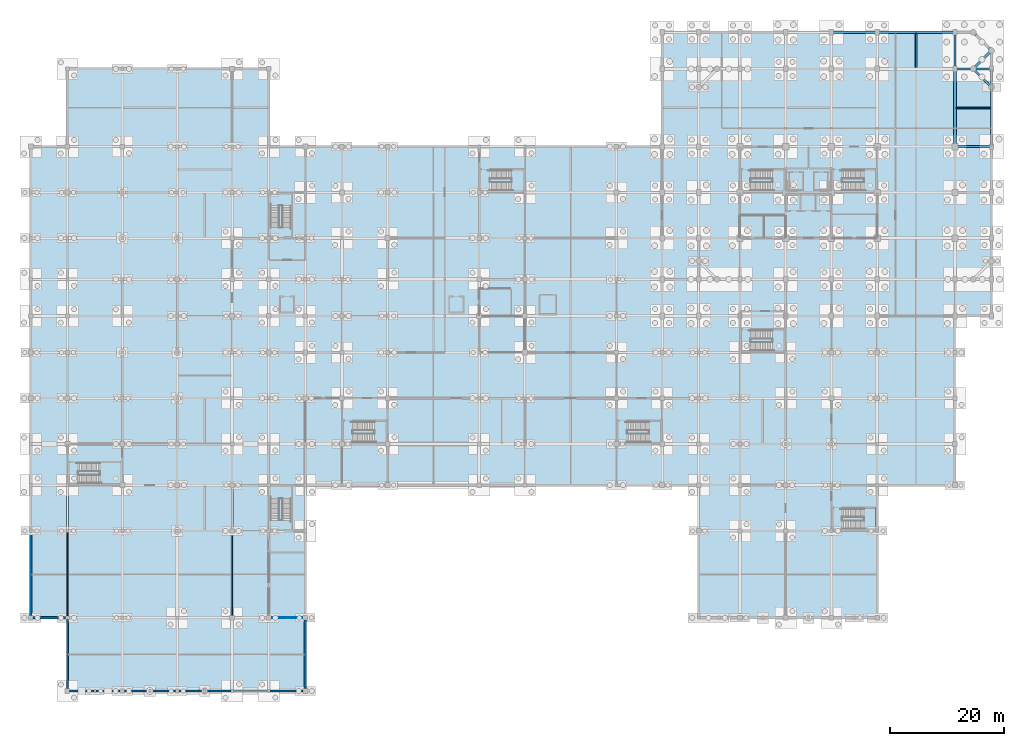
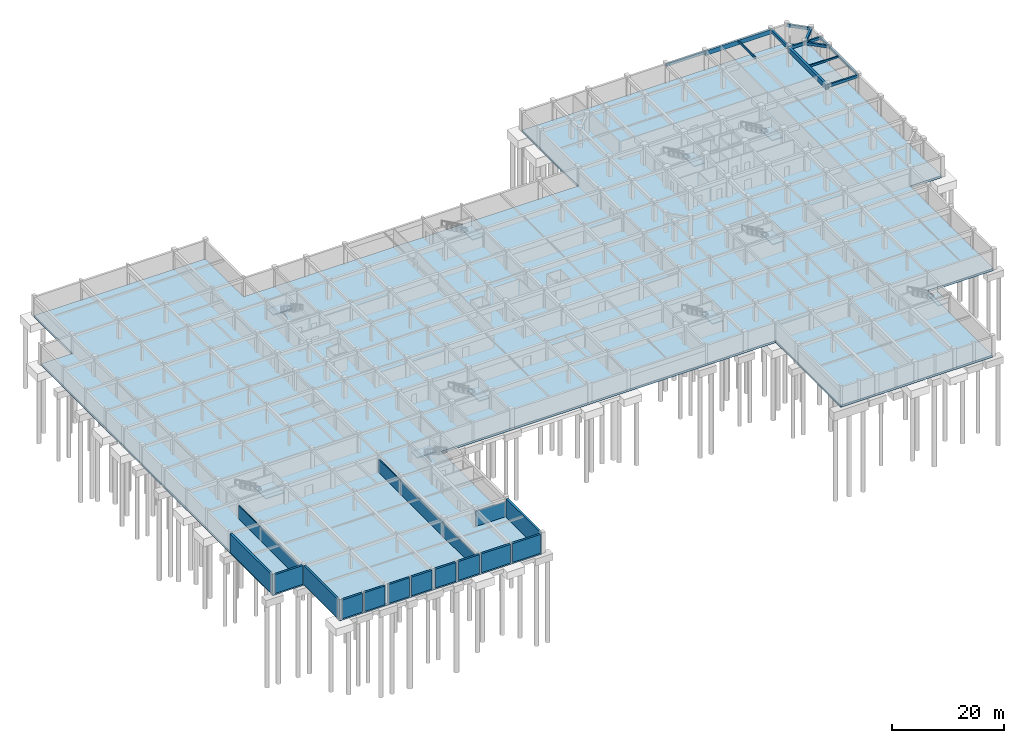
# One storey, part 16 of 28: 15 walls, 12 beams, 11 slabs, 10 elements without a shape of their own.
"""IFC4 building model written with IfcOpenShell, lengths in metres."""

from ifc_helpers import new_model, si_unit, direction, frame, frame_2d, origin, origin_2d, place, context, subcontext, project, spatial, polyline, rectangle, i_section, outline, extrude, material, layer, layer_set, material_profile, profile_set, type_object, element, aggregate, save


model = new_model("IFC4")

# Units and contexts
model_context = context("Model", 3, precision=1e-05, world=origin(), true_north=direction((0.0, 1.0)))
body_context = subcontext(model_context, "Body", "Model", "MODEL_VIEW")
ifc_project = project(units=[si_unit("LENGTHUNIT", "METRE"), si_unit("AREAUNIT", "SQUARE_METRE"), si_unit("VOLUMEUNIT", "CUBIC_METRE"), si_unit("PLANEANGLEUNIT", "RADIAN"), si_unit("MASSUNIT", "GRAM", prefix="KILO")], contexts=[model_context])

# Site, building, storey
site_placement = place(None, origin())
site = spatial("IfcSite", under=ifc_project, at=site_placement, CompositionType="ELEMENT")
building_placement = place(site_placement, origin())
building = spatial("IfcBuilding", under=site, at=building_placement, Name="Vellmiral Cinema and Media Centre", CompositionType="ELEMENT")
storey_placement = place(building_placement, frame((0.0, 0.0, -4.5)))
storey = spatial("IfcBuildingStorey", under=building, at=storey_placement, Name="B1", CompositionType="ELEMENT", Elevation=-4.5)

# Beams
ifc_material_1 = material(Name="Concrete C40/50", Category="concrete")
ifc_material_profile_1 = material_profile(ifc_material_1, rectangle(XDim=0.35009765625, YDim=0.60009765625, at=origin_2d()), Name="RC 350x600")
ifc_profile_set_1 = profile_set([ifc_material_profile_1], Name="Concrete C40/50")
beam_type_1 = type_object("IfcBeamType", Name="BM-RC-350x600", PredefinedType="BEAM", material=ifc_profile_set_1)
for number, where, z_axis, x_axis, name in (
    (1, (161.60009765625, 95.199951171875, 3.77490234375), (1.0, 0.0, 0.0), (0.0, 1.0, 0.0), "Grid Beam B1-X192"),
    (2, (161.60009765625, 108.800048828125, 3.77490234375), (1.0, 0.0, 0.0), (0.0, 1.0, 0.0), "Grid Beam B1-X203"),
):
    element("IfcBeam", number, at=place(storey_placement, frame(where, z_axis=z_axis, x_axis=x_axis)), inside=storey, type_object=beam_type_1, Name=name, PredefinedType="BEAM", context=body_context, shape_type="SweptSolid", body=[
        extrude(rectangle(XDim=0.35009765625, YDim=0.60009765625, at=origin_2d()), origin(), (0.0, 0.0, 1.0), 6.39990234375),
    ])
ifc_material_2 = material(Name="Concrete C40/50", Category="concrete")
ifc_material_profile_2 = material_profile(ifc_material_2, rectangle(XDim=0.39990234375, YDim=0.64990234375, at=origin_2d()), Name="RC 400x650")
ifc_profile_set_2 = profile_set([ifc_material_profile_2], Name="Concrete C40/50")
beam_type_2 = type_object("IfcBeamType", Name="BM-RC-400x650", PredefinedType="BEAM", material=ifc_profile_set_2)
beam_1_placement = place(storey_placement, frame((161.60009765625, 108.800048828125, 3.75), z_axis=(0.0, 1.0, 0.0), x_axis=(-1.0, 0.0, 0.0)))
element("IfcBeam", 3, at=beam_1_placement, inside=storey, type_object=beam_type_2, Name="Grid Beam B1-Y410", PredefinedType="BEAM", context=body_context, shape_type="SweptSolid", body=[
    extrude(rectangle(XDim=0.39990234375, YDim=0.64990234375, at=origin_2d()), origin(), (0.0, 0.0, 1.0), 6.39990234375),
])
ifc_material_3 = material(Name="Concrete C40/50", Category="concrete")
ifc_material_profile_3 = material_profile(ifc_material_3, rectangle(XDim=0.5, YDim=1.050048828125, at=origin_2d()), Name="RC 500x1050")
ifc_profile_set_3 = profile_set([ifc_material_profile_3], Name="Concrete C40/50")
beam_type_3 = type_object("IfcBeamType", Name="BM-RCG-500x1050", PredefinedType="BEAM", material=ifc_profile_set_3)
beam_2_placement = place(storey_placement, frame((161.60009765625, 95.199951171875, 3.550048828125), z_axis=(0.0, 1.0, 0.0), x_axis=(-1.0, 0.0, 0.0)))
element("IfcBeam", 4, at=beam_2_placement, inside=storey, type_object=beam_type_3, Name="Grid Beam B1-Y409", PredefinedType="BEAM", context=body_context, shape_type="SweptSolid", body=[
    extrude(rectangle(XDim=0.5, YDim=1.050048828125, at=origin_2d()), origin(), (0.0, 0.0, 1.0), 13.60009765625),
])
ifc_material_4 = material(Name="Concrete C40/50", Category="concrete")
ifc_material_profile_4 = material_profile(ifc_material_4, rectangle(XDim=0.260009765625, YDim=0.3798828125, at=origin_2d()), Name="RC 260x380")
ifc_profile_set_4 = profile_set([ifc_material_profile_4], Name="Concrete C40/50")
beam_type_4 = type_object("IfcBeamType", Name="JST-RC-260x380", PredefinedType="JOIST", material=ifc_profile_set_4)
beam_3_placement = place(storey_placement, frame((161.85009765625, 102.0, 3.885009765625), z_axis=(1.0, 0.0, 0.0), x_axis=(0.0, 1.0, 0.0)))
element("IfcBeam", 5, at=beam_3_placement, inside=storey, type_object=beam_type_4, Name="Secondary Floor Joist B1-051", PredefinedType="JOIST", context=body_context, shape_type="SweptSolid", body=[
    extrude(rectangle(XDim=0.260009765625, YDim=0.3798828125, at=origin_2d()), origin(), (0.0, 0.0, 1.0), 6.0),
])
ifc_material_5 = material(Name="Concrete C40/50", Category="concrete")
ifc_material_profile_5 = material_profile(ifc_material_5, rectangle(XDim=0.280029296875, YDim=0.39990234375, at=origin_2d()), Name="RC 280x400")
ifc_profile_set_5 = profile_set([ifc_material_profile_5], Name="Concrete C40/50")
beam_type_5 = type_object("IfcBeamType", Name="JST-RC-280x400", PredefinedType="JOIST", material=ifc_profile_set_5)
beam_4_placement = place(storey_placement, frame((154.800048828125, 109.050048828125, 3.875), z_axis=(0.0, 1.0, 0.0), x_axis=(-1.0, 0.0, 0.0)))
element("IfcBeam", 6, at=beam_4_placement, inside=storey, type_object=beam_type_5, Name="Secondary Floor Joist B1-050", PredefinedType="JOIST", context=body_context, shape_type="SweptSolid", body=[
    extrude(rectangle(XDim=0.280029296875, YDim=0.39990234375, at=origin_2d()), origin(), (0.0, 0.0, 1.0), 5.93994140625),
])
ifc_material_6 = material(Name="Steel S355", Category="steel")
ifc_material_profile_6 = material_profile(ifc_material_6, i_section(OverallWidth=0.300048828125, OverallDepth=0.60009765625, WebThickness=0.015380859375, FlangeThickness=0.030029296875, FilletRadius=0.027099609375, at=origin_2d()), Name="HEB 600")
ifc_profile_set_6 = profile_set([ifc_material_profile_6], Name="Steel S355")
beam_type_6 = type_object("IfcBeamType", Name="SBM-HEB600-SPD", PredefinedType="SPANDREL", material=ifc_profile_set_6)
beam_5_placement = place(storey_placement, frame((168.0, 95.199951171875, 3.77490234375), z_axis=(0.0, 1.0, 0.0), x_axis=(-1.0, 0.0, 0.0)))
element("IfcBeam", 7, at=beam_5_placement, inside=storey, type_object=beam_type_6, Name="Grid Beam B1-Y415", PredefinedType="SPANDREL", context=body_context, shape_type="SweptSolid", body=[
    extrude(i_section(OverallWidth=0.300048828125, OverallDepth=0.60009765625, WebThickness=0.015380859375, FlangeThickness=0.030029296875, FilletRadius=0.027099609375, at=origin_2d()), origin(), (0.0, 0.0, 1.0), 13.60009765625),
])
ifc_material_7 = material(Name="Concrete C40/50", Category="concrete")
ifc_material_profile_7 = material_profile(ifc_material_7, rectangle(XDim=0.39990234375, YDim=0.60009765625, at=origin_2d()), Name="RC 400x600")
ifc_profile_set_7 = profile_set([ifc_material_profile_7], Name="Concrete C40/50")
beam_type_7 = type_object("IfcBeamType", Name="SPD-RC-400x600", PredefinedType="SPANDREL", material=ifc_profile_set_7)
for number, where, z_axis, x_axis, name in (
    (8, (164.800048828125, 108.800048828125, 3.77490234375), (0.707106781187, -0.707106781187, 0.0), (0.707106781187, 0.707106781187, 0.0), "Xamfra Chamfer Spandrel Beam B1-419"),
    (9, (164.800048828125, 108.800048828125, 3.77490234375), (0.707106781187, 0.707106781187, 0.0), (-0.707106781187, 0.707106781187, 0.0), "Xamfra Chamfer Spandrel Beam B1-420"),
    (10, (164.800048828125, 115.199951171875, 3.77490234375), (0.707106781187, -0.707106781187, 0.0), (0.707106781187, 0.707106781187, 0.0), "Xamfra Chamfer Spandrel Beam B1-421"),
):
    element("IfcBeam", number, at=place(storey_placement, frame(where, z_axis=z_axis, x_axis=x_axis)), inside=storey, type_object=beam_type_7, Name=name, PredefinedType="SPANDREL", context=body_context, shape_type="SweptSolid", body=[
        extrude(rectangle(XDim=0.39990234375, YDim=0.60009765625, at=origin_2d()), origin(), (0.0, 0.0, 1.0), 4.525390625),
    ])
ifc_material_8 = material(Name="Vosges Red Sandstone Masonry", Category="masonry")
ifc_material_profile_8 = material_profile(ifc_material_8, rectangle(XDim=0.3798828125, YDim=0.580078125, at=origin_2d()), Name="SAND 380x580")
ifc_profile_set_8 = profile_set([ifc_material_profile_8], Name="Vosges Red Sandstone Masonry")
beam_type_8 = type_object("IfcBeamType", Name="SPD-SAND-380x580", PredefinedType="SPANDREL", material=ifc_profile_set_8)
beam_6_placement = place(storey_placement, frame((140.0, 115.199951171875, 3.784912109375), z_axis=(1.0, 0.0, 0.0), x_axis=(0.0, 1.0, 0.0)))
element("IfcBeam", 11, at=beam_6_placement, inside=storey, type_object=beam_type_8, Name="Grid Beam B1-X208", PredefinedType="SPANDREL", context=body_context, shape_type="SweptSolid", body=[
    extrude(rectangle(XDim=0.3798828125, YDim=0.580078125, at=origin_2d()), origin(), (0.0, 0.0, 1.0), 8.0),
])
ifc_material_9 = material(Name="Vosges Red Sandstone Masonry", Category="masonry")
ifc_material_profile_9 = material_profile(ifc_material_9, rectangle(XDim=0.419921875, YDim=1.0, at=origin_2d()), Name="SAND 420x1000")
ifc_profile_set_9 = profile_set([ifc_material_profile_9], Name="Vosges Red Sandstone Masonry")
beam_type_9 = type_object("IfcBeamType", Name="SPD-SANDG-420x1000", PredefinedType="SPANDREL", material=ifc_profile_set_9)
beam_7_placement = place(storey_placement, frame((148.0, 115.199951171875, 3.574951171875), z_axis=(1.0, 0.0, 0.0), x_axis=(0.0, 1.0, 0.0)))
element("IfcBeam", 12, at=beam_7_placement, inside=storey, type_object=beam_type_9, Name="Grid Beam B1-X209", PredefinedType="SPANDREL", context=body_context, shape_type="SweptSolid", body=[
    extrude(rectangle(XDim=0.419921875, YDim=1.0, at=origin_2d()), origin(), (0.0, 0.0, 1.0), 13.60009765625),
])

# Slab
ifc_material_10 = material(Name="Concrete C30/37", Category="concrete")
ifc_layer_1 = layer(ifc_material_10, 0.4599609375, Name="Concrete C30/37")
ifc_layer_set_1 = layer_set([ifc_layer_1], Name="Concrete C30/37")
slab_type_1 = type_object("IfcSlabType", Name="SLB-BASE-460", PredefinedType="BASESLAB", material=ifc_layer_set_1)
slab_1_placement = place(storey_placement, frame((0.0, 0.0, -0.4599609375)))
element("IfcSlab", 13, at=slab_1_placement, inside=storey, type_object=slab_type_1, Name="B1 Structural Slab", PredefinedType="BASESLAB", context=body_context, shape_type="SweptSolid", body=[
    extrude(outline(polyline([(6.39990234375, 0.0), (48.0, 0.0), (48.0, 36.0), (116.800048828125, 36.0), (116.800048828125, 12.800048828125), (148.0, 12.800048828125), (148.0, 36.0), (161.60009765625, 36.0), (161.60009765625, 65.60009765625), (168.0, 65.60009765625), (168.0, 112.0), (164.800048828125, 115.199951171875), (110.39990234375, 115.199951171875), (110.39990234375, 95.199951171875), (41.60009765625, 95.199951171875), (41.60009765625, 108.800048828125), (6.39990234375, 108.800048828125), (6.39990234375, 95.199951171875), (0.0, 95.199951171875), (0.0, 12.800048828125), (6.39990234375, 12.800048828125), (6.39990234375, 0.0)])), origin(), (0.0, 0.0, 1.0), 0.4599609375),
])

# Stair, slab
ifc_material_11 = material(Name="Concrete C40/50", Category="concrete")
stair_type = type_object("IfcStairType", Name="ST-2RET-450", PredefinedType="HALF_TURN_STAIR", material=ifc_material_11)
stair_1_placement = place(storey_placement, origin())
stair_1 = element("IfcStair", 14, at=stair_1_placement, inside=storey, type_object=stair_type, Name="Protected Escape Stair ST-P1 (B1)", PredefinedType="HALF_TURN_STAIR")
ifc_material_12 = material(Name="Concrete C40/50", Category="concrete")
ifc_layer_2 = layer(ifc_material_12, 0.219970703125, Name="Concrete C40/50")
ifc_layer_set_2 = layer_set([ifc_layer_2], Name="Concrete C40/50")
slab_type_2 = type_object("IfcSlabType", Name="SLB-LAND-220", PredefinedType="LANDING", material=ifc_layer_set_2)
slab_2_placement = place(storey_placement, frame((0.0, 0.0, 2.030029296875)))
slab_2 = element("IfcSlab", 15, at=slab_2_placement, type_object=slab_type_2, Name="ST-P1 landing 1", PredefinedType="LANDING", context=body_context, shape_type="SweptSolid", body=[
    extrude(outline(polyline([(41.780029296875, 33.68505859375), (45.6201171875, 33.68505859375), (45.6201171875, 35.820068359375), (41.780029296875, 35.820068359375), (41.780029296875, 33.68505859375)])), origin(), (0.0, 0.0, 1.0), 0.219970703125),
])
aggregate(stair_1, [slab_2])

stair_2_placement = place(storey_placement, origin())
stair_2 = element("IfcStair", 16, at=stair_2_placement, inside=storey, type_object=stair_type, Name="Protected Escape Stair ST-P2 (B1)", PredefinedType="HALF_TURN_STAIR")
slab_3_placement = place(storey_placement, frame((0.0, 0.0, 2.030029296875)))
slab_3 = element("IfcSlab", 17, at=slab_3_placement, type_object=slab_type_2, Name="ST-P2 landing 1", PredefinedType="LANDING", context=body_context, shape_type="SweptSolid", body=[
    extrude(outline(polyline([(41.780029296875, 84.885009765625), (45.6201171875, 84.885009765625), (45.6201171875, 87.02001953125), (41.780029296875, 87.02001953125), (41.780029296875, 84.885009765625)])), origin(), (0.0, 0.0, 1.0), 0.219970703125),
])
aggregate(stair_2, [slab_3])

stair_3_placement = place(storey_placement, origin())
stair_3 = element("IfcStair", 18, at=stair_3_placement, inside=storey, type_object=stair_type, Name="Protected Escape Stair ST-P3 (B1)", PredefinedType="HALF_TURN_STAIR")
slab_4_placement = place(storey_placement, frame((0.0, 0.0, 2.030029296875)))
slab_4 = element("IfcSlab", 19, at=slab_4_placement, type_object=slab_type_2, Name="ST-P3 landing 1", PredefinedType="LANDING", context=body_context, shape_type="SweptSolid", body=[
    extrude(outline(polyline([(60.0849609375, 43.3798828125), (62.219970703125, 43.3798828125), (62.219970703125, 47.219970703125), (60.0849609375, 47.219970703125), (60.0849609375, 43.3798828125)])), origin(), (0.0, 0.0, 1.0), 0.219970703125),
])
aggregate(stair_3, [slab_4])

stair_4_placement = place(storey_placement, origin())
stair_4 = element("IfcStair", 20, at=stair_4_placement, inside=storey, type_object=stair_type, Name="Protected Escape Stair ST-P4 (B1)", PredefinedType="HALF_TURN_STAIR")
slab_5_placement = place(storey_placement, frame((0.0, 0.0, 2.030029296875)))
slab_5 = element("IfcSlab", 21, at=slab_5_placement, type_object=slab_type_2, Name="ST-P4 landing 1", PredefinedType="LANDING", context=body_context, shape_type="SweptSolid", body=[
    extrude(outline(polyline([(108.0849609375, 43.3798828125), (110.219970703125, 43.3798828125), (110.219970703125, 47.219970703125), (108.0849609375, 47.219970703125), (108.0849609375, 43.3798828125)])), origin(), (0.0, 0.0, 1.0), 0.219970703125),
])
aggregate(stair_4, [slab_5])

stair_5_placement = place(storey_placement, origin())
stair_5 = element("IfcStair", 22, at=stair_5_placement, inside=storey, type_object=stair_type, Name="Protected Escape Stair ST-P5 (B1)", PredefinedType="HALF_TURN_STAIR")
slab_6_placement = place(storey_placement, frame((0.0, 0.0, 2.030029296875)))
slab_6 = element("IfcSlab", 23, at=slab_6_placement, type_object=slab_type_2, Name="ST-P5 landing 1", PredefinedType="LANDING", context=body_context, shape_type="SweptSolid", body=[
    extrude(outline(polyline([(84.0849609375, 87.3798828125), (86.219970703125, 87.3798828125), (86.219970703125, 91.219970703125), (84.0849609375, 91.219970703125), (84.0849609375, 87.3798828125)])), origin(), (0.0, 0.0, 1.0), 0.219970703125),
])
aggregate(stair_5, [slab_6])

stair_6_placement = place(storey_placement, origin())
stair_6 = element("IfcStair", 24, at=stair_6_placement, inside=storey, type_object=stair_type, Name="Protected Escape Stair ST-P6 (B1)", PredefinedType="HALF_TURN_STAIR")
slab_7_placement = place(storey_placement, frame((0.0, 0.0, 2.030029296875)))
slab_7 = element("IfcSlab", 25, at=slab_7_placement, type_object=slab_type_2, Name="ST-P6 landing 1", PredefinedType="LANDING", context=body_context, shape_type="SweptSolid", body=[
    extrude(outline(polyline([(129.68505859375, 59.3798828125), (131.820068359375, 59.3798828125), (131.820068359375, 63.219970703125), (129.68505859375, 63.219970703125), (129.68505859375, 59.3798828125)])), origin(), (0.0, 0.0, 1.0), 0.219970703125),
])
aggregate(stair_6, [slab_7])

stair_7_placement = place(storey_placement, origin())
stair_7 = element("IfcStair", 26, at=stair_7_placement, inside=storey, type_object=stair_type, Name="Protected Escape Stair ST-P7 (B1)", PredefinedType="HALF_TURN_STAIR")
slab_8_placement = place(storey_placement, frame((0.0, 0.0, 2.030029296875)))
slab_8 = element("IfcSlab", 27, at=slab_8_placement, type_object=slab_type_2, Name="ST-P7 landing 1", PredefinedType="LANDING", context=body_context, shape_type="SweptSolid", body=[
    extrude(outline(polyline([(12.0849609375, 36.179931640625), (15.820068359375, 36.179931640625), (15.820068359375, 40.02001953125), (12.0849609375, 40.02001953125), (12.0849609375, 36.179931640625)])), origin(), (0.0, 0.0, 1.0), 0.219970703125),
])
aggregate(stair_7, [slab_8])

stair_8_placement = place(storey_placement, origin())
stair_8 = element("IfcStair", 28, at=stair_8_placement, inside=storey, type_object=stair_type, Name="Protected Escape Stair ST-P8 (B1)", PredefinedType="HALF_TURN_STAIR")
slab_9_placement = place(storey_placement, frame((0.0, 0.0, 2.030029296875)))
slab_9 = element("IfcSlab", 29, at=slab_9_placement, type_object=slab_type_2, Name="ST-P8 landing 1", PredefinedType="LANDING", context=body_context, shape_type="SweptSolid", body=[
    extrude(outline(polyline([(145.68505859375, 28.179931640625), (147.820068359375, 28.179931640625), (147.820068359375, 32.02001953125), (145.68505859375, 32.02001953125), (145.68505859375, 28.179931640625)])), origin(), (0.0, 0.0, 1.0), 0.219970703125),
])
aggregate(stair_8, [slab_9])

stair_9_placement = place(storey_placement, origin())
stair_9 = element("IfcStair", 30, at=stair_9_placement, inside=storey, type_object=stair_type, Name="Protected Escape Stair ST-T1 (B1)", PredefinedType="HALF_TURN_STAIR")
slab_10_placement = place(storey_placement, frame((0.0, 0.0, 2.030029296875)))
slab_10 = element("IfcSlab", 31, at=slab_10_placement, type_object=slab_type_2, Name="ST-T1 landing 1", PredefinedType="LANDING", context=body_context, shape_type="SweptSolid", body=[
    extrude(outline(polyline([(129.68505859375, 87.3798828125), (131.820068359375, 87.3798828125), (131.820068359375, 91.219970703125), (129.68505859375, 91.219970703125), (129.68505859375, 87.3798828125)])), origin(), (0.0, 0.0, 1.0), 0.219970703125),
])
aggregate(stair_9, [slab_10])

stair_10_placement = place(storey_placement, origin())
stair_10 = element("IfcStair", 32, at=stair_10_placement, inside=storey, type_object=stair_type, Name="Protected Escape Stair ST-T2 (B1)", PredefinedType="HALF_TURN_STAIR")
slab_11_placement = place(storey_placement, frame((0.0, 0.0, 2.030029296875)))
slab_11 = element("IfcSlab", 33, at=slab_11_placement, type_object=slab_type_2, Name="ST-T2 landing 1", PredefinedType="LANDING", context=body_context, shape_type="SweptSolid", body=[
    extrude(outline(polyline([(145.68505859375, 87.3798828125), (147.820068359375, 87.3798828125), (147.820068359375, 91.219970703125), (145.68505859375, 91.219970703125), (145.68505859375, 87.3798828125)])), origin(), (0.0, 0.0, 1.0), 0.219970703125),
])
aggregate(stair_10, [slab_11])

# Walls
ifc_material_13 = material(Name="Concrete C30/37", Category="concrete")
ifc_layer_3 = layer(ifc_material_13, 0.419921875, Name="Concrete C30/37")
ifc_layer_set_3 = layer_set([ifc_layer_3], Name="Concrete C30/37")
wall_type_1 = type_object("IfcWallType", Name="WL-B1-RET-420", PredefinedType="SOLIDWALL", material=ifc_layer_set_3)
wall_1_placement = place(storey_placement, frame((6.800048828125, 0.0, 0.0), z_axis=(0.0, 0.0, 1.0), x_axis=(1.0, 0.0, 0.0)))
element("IfcWall", 34, at=wall_1_placement, inside=storey, type_object=wall_type_1, Name="Basement Retaining Wall B1-001", PredefinedType="SOLIDWALL", context=body_context, shape_type="SweptSolid", body=[
    extrude(rectangle(XDim=4.199951171875, YDim=0.419921875, at=frame_2d((2.10009765625, 0.0))), origin(), (0.0, 0.0, 1.0), 4.080078125),
])
wall_2_placement = place(storey_placement, frame((11.39990234375, 0.0, 0.0), z_axis=(0.0, 0.0, 1.0), x_axis=(1.0, 0.0, 0.0)))
element("IfcWall", 35, at=wall_2_placement, inside=storey, type_object=wall_type_1, Name="Basement Retaining Wall B1-002", PredefinedType="SOLIDWALL", context=body_context, shape_type="SweptSolid", body=[
    extrude(rectangle(XDim=4.22509765625, YDim=0.419921875, at=frame_2d((2.112548828125, 0.0))), origin(), (0.0, 0.0, 1.0), 4.080078125),
])
wall_3_placement = place(storey_placement, frame((16.375, 0.0, 0.0), z_axis=(0.0, 0.0, 1.0), x_axis=(1.0, 0.0, 0.0)))
element("IfcWall", 36, at=wall_3_placement, inside=storey, type_object=wall_type_1, Name="Basement Retaining Wall B1-003", PredefinedType="SOLIDWALL", context=body_context, shape_type="SweptSolid", body=[
    extrude(rectangle(XDim=4.25, YDim=0.419921875, at=frame_2d((2.125, 0.0))), origin(), (0.0, 0.0, 1.0), 4.080078125),
])
wall_4_placement = place(storey_placement, frame((20.97509765625, 0.0, 0.0), z_axis=(0.0, 0.0, 1.0), x_axis=(1.0, 0.0, 0.0)))
element("IfcWall", 37, at=wall_4_placement, inside=storey, type_object=wall_type_1, Name="Basement Retaining Wall B1-004", PredefinedType="SOLIDWALL", context=body_context, shape_type="SweptSolid", body=[
    extrude(rectangle(XDim=4.2998046875, YDim=0.419921875, at=frame_2d((2.14990234375, 0.0))), origin(), (0.0, 0.0, 1.0), 4.080078125),
])
wall_5_placement = place(storey_placement, frame((25.925048828125, 0.0, 0.0), z_axis=(0.0, 0.0, 1.0), x_axis=(1.0, 0.0, 0.0)))
element("IfcWall", 38, at=wall_5_placement, inside=storey, type_object=wall_type_1, Name="Basement Retaining Wall B1-005", PredefinedType="SOLIDWALL", context=body_context, shape_type="SweptSolid", body=[
    extrude(rectangle(XDim=4.224853515625, YDim=0.419921875, at=frame_2d((2.1123046875, 0.0))), origin(), (0.0, 0.0, 1.0), 4.080078125),
])
wall_6_placement = place(storey_placement, frame((30.64990234375, 0.0, 0.0), z_axis=(0.0, 0.0, 1.0), x_axis=(1.0, 0.0, 0.0)))
element("IfcWall", 39, at=wall_6_placement, inside=storey, type_object=wall_type_1, Name="Basement Retaining Wall B1-006", PredefinedType="SOLIDWALL", context=body_context, shape_type="SweptSolid", body=[
    extrude(rectangle(XDim=4.35009765625, YDim=0.419921875, at=frame_2d((2.175048828125, 0.0))), origin(), (0.0, 0.0, 1.0), 4.080078125),
])
wall_7_placement = place(storey_placement, frame((35.39990234375, 0.0, 0.0), z_axis=(0.0, 0.0, 1.0), x_axis=(1.0, 0.0, 0.0)))
element("IfcWall", 40, at=wall_7_placement, inside=storey, type_object=wall_type_1, Name="Basement Retaining Wall B1-007", PredefinedType="SOLIDWALL", context=body_context, shape_type="SweptSolid", body=[
    extrude(rectangle(XDim=6.0, YDim=0.419921875, at=frame_2d((3.0, 0.0))), origin(), (0.0, 0.0, 1.0), 4.080078125),
])
wall_8_placement = place(storey_placement, frame((41.800048828125, 0.0, 0.0), z_axis=(0.0, 0.0, 1.0), x_axis=(1.0, 0.0, 0.0)))
element("IfcWall", 41, at=wall_8_placement, inside=storey, type_object=wall_type_1, Name="Basement Retaining Wall B1-008", PredefinedType="SOLIDWALL", context=body_context, shape_type="SweptSolid", body=[
    extrude(rectangle(XDim=5.77490234375, YDim=0.419921875, at=frame_2d((2.887451171875, 0.0))), origin(), (0.0, 0.0, 1.0), 4.080078125),
])
wall_9_placement = place(storey_placement, frame((48.0, 0.425048828125, 0.0), z_axis=(0.0, 0.0, 1.0), x_axis=(0.0, 1.0, 0.0)))
element("IfcWall", 42, at=wall_9_placement, inside=storey, type_object=wall_type_1, Name="Basement Retaining Wall B1-009", PredefinedType="SOLIDWALL", context=body_context, shape_type="SweptSolid", body=[
    extrude(rectangle(XDim=12.0, YDim=0.419921875, at=frame_2d((6.0, 0.0))), origin(), (0.0, 0.0, 1.0), 4.080078125),
])
wall_10_placement = place(storey_placement, frame((0.0, 27.699951171875, 0.0), z_axis=(0.0, 0.0, 1.0), x_axis=(0.0, -1.0, 0.0)))
element("IfcWall", 43, at=wall_10_placement, inside=storey, type_object=wall_type_1, Name="Basement Retaining Wall B1-078", PredefinedType="SOLIDWALL", context=body_context, shape_type="SweptSolid", body=[
    extrude(rectangle(XDim=14.52490234375, YDim=0.419921875, at=frame_2d((7.262451171875, 0.0))), origin(), (0.0, 0.0, 1.0), 4.080078125),
])
wall_11_placement = place(storey_placement, frame((0.375, 12.800048828125, 0.0), z_axis=(0.0, 0.0, 1.0), x_axis=(1.0, 0.0, 0.0)))
element("IfcWall", 44, at=wall_11_placement, inside=storey, type_object=wall_type_1, Name="Basement Retaining Wall B1-079", PredefinedType="SOLIDWALL", context=body_context, shape_type="SweptSolid", body=[
    extrude(rectangle(XDim=5.699951171875, YDim=0.419921875, at=frame_2d((2.85009765625, 0.0))), origin(), (0.0, 0.0, 1.0), 4.080078125),
])
wall_12_placement = place(storey_placement, frame((6.39990234375, 12.47509765625, 0.0), z_axis=(0.0, 0.0, 1.0), x_axis=(0.0, -1.0, 0.0)))
element("IfcWall", 45, at=wall_12_placement, inside=storey, type_object=wall_type_1, Name="Basement Retaining Wall B1-080", PredefinedType="SOLIDWALL", context=body_context, shape_type="SweptSolid", body=[
    extrude(rectangle(XDim=12.0751953125, YDim=0.419921875, at=frame_2d((6.03759765625, 0.0))), origin(), (0.0, 0.0, 1.0), 4.080078125),
])
ifc_material_14 = material(Name="Concrete C40/50", Category="concrete")
ifc_layer_4 = layer(ifc_material_14, 0.2099609375, Name="Concrete C40/50")
ifc_layer_set_4 = layer_set([ifc_layer_4], Name="Concrete C40/50")
wall_type_2 = type_object("IfcWallType", Name="WL-COMP-210", PredefinedType="SOLIDWALL", material=ifc_layer_set_4)
wall_13_placement = place(storey_placement, frame((6.39990234375, 12.614990234375, 0.0), z_axis=(0.0, 0.0, 1.0), x_axis=(0.0, 1.0, 0.0)))
element("IfcWall", 46, at=wall_13_placement, inside=storey, type_object=wall_type_2, Name="West Underground Car Parking Hall Wall W", PredefinedType="SOLIDWALL", context=body_context, shape_type="SweptSolid", body=[
    extrude(rectangle(XDim=23.2451171875, YDim=0.2099609375, at=frame_2d((11.62255859375, 0.0))), origin(), (0.0, 0.0, 1.0), 2.925048828125),
])
wall_14_placement = place(storey_placement, frame((35.199951171875, 0.22509765625, 0.0), z_axis=(0.0, 0.0, 1.0), x_axis=(0.0, 1.0, 0.0)))
element("IfcWall", 47, at=wall_14_placement, inside=storey, type_object=wall_type_2, Name="West Underground Car Parking Hall Wall E", PredefinedType="SOLIDWALL", context=body_context, shape_type="SweptSolid", body=[
    extrude(rectangle(XDim=35.635009765625, YDim=0.2099609375, at=frame_2d((17.8173828125, 0.0))), origin(), (0.0, 0.0, 1.0), 2.925048828125),
])
ifc_material_15 = material(Name="Gypsum Plasterboard")
ifc_layer_5 = layer(ifc_material_15, 0.02490234375, Name="Gypsum Plasterboard", Category="gypsum")
ifc_material_16 = material(Name="Mineral Wool Acoustic Insulation", Category="insulation")
ifc_layer_6 = layer(ifc_material_16, 0.1201171875, Name="Mineral Wool Acoustic Insulation", Category="insulation")
ifc_layer_7 = layer(ifc_material_15, 0.02490234375, Name="Gypsum Plasterboard", Category="gypsum")
ifc_layer_set_5 = layer_set([ifc_layer_5, ifc_layer_6, ifc_layer_7], Name="Gypsum Plasterboard")
wall_type_3 = type_object("IfcWallType", Name="WL-PART-170", PredefinedType="PARTITIONING", material=ifc_layer_set_5)
wall_15_placement = place(storey_placement, frame((41.739990234375, 12.800048828125, 0.0), z_axis=(0.0, 0.0, 1.0), x_axis=(1.0, 0.0, 0.0)))
element("IfcWall", 48, at=wall_15_placement, inside=storey, type_object=wall_type_3, Name="Basement South-West Technical Store Wall S", PredefinedType="PARTITIONING", context=body_context, shape_type="SweptSolid", body=[
    extrude(rectangle(XDim=6.155029296875, YDim=0.169921875, at=frame_2d((3.07763671875, 0.0))), origin(), (0.0, 0.0, 1.0), 3.27490234375),
])

save(model, "model.ifc")
